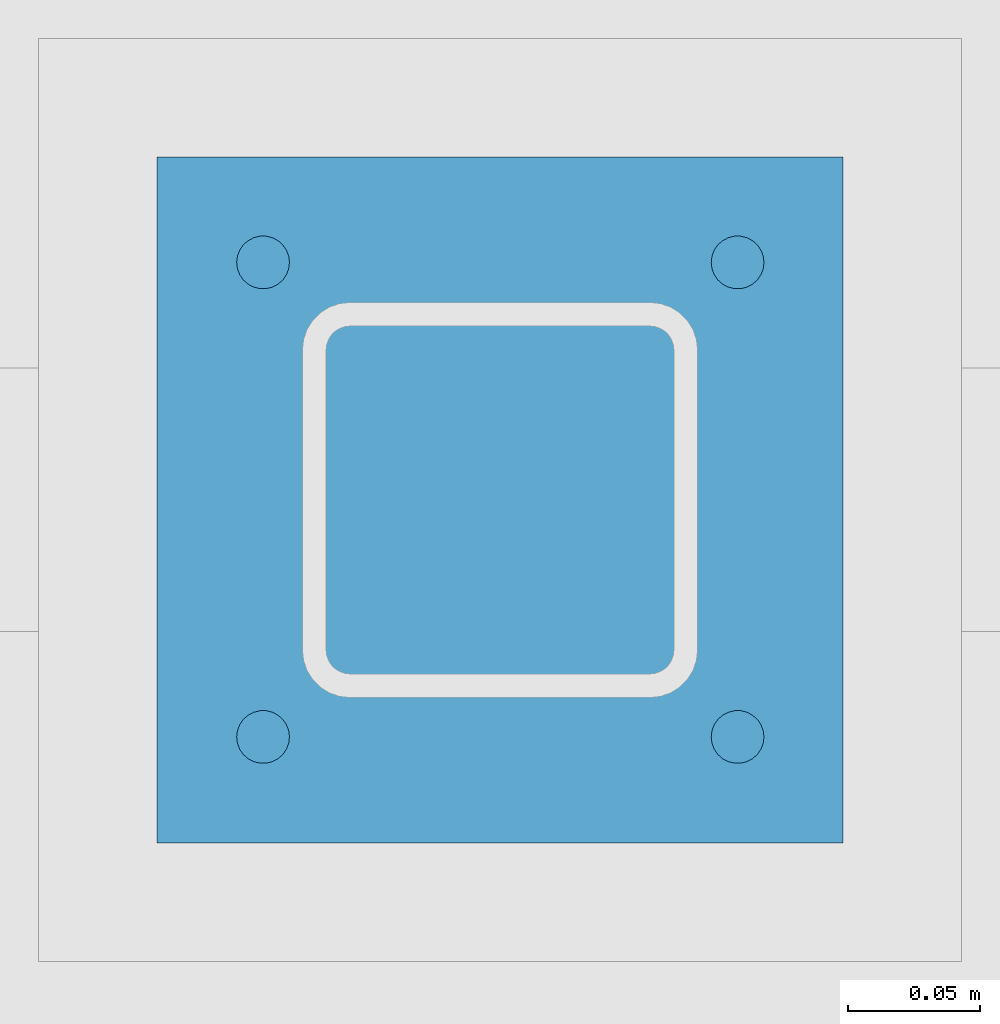
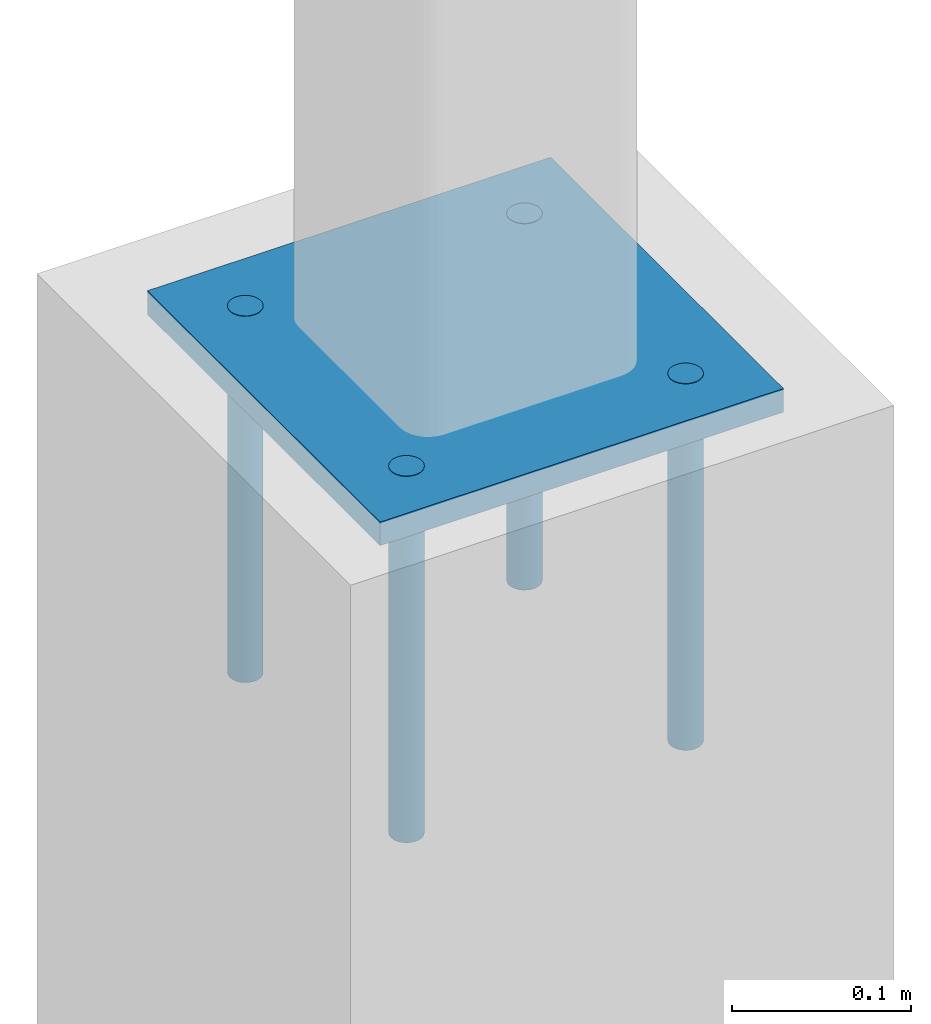
# One storey, part 7 of 10: 4 mechanical fasteners, 1 discrete accessory.
"""IFC4 building model written with IfcOpenShell, lengths in metres."""

from ifc_helpers import new_model, si_unit, direction, frame, origin, origin_2d, place, context, subcontext, project, spatial, rectangle, circle, extrude, material, element, save


model = new_model("IFC4")

# Units and contexts
model_context = context("Model", 3, precision=1e-05, world=origin(), true_north=direction((0.0, 1.0)))
body_context = subcontext(model_context, "Body", "Model", "MODEL_VIEW")
ifc_project = project(units=[si_unit("LENGTHUNIT", "METRE"), si_unit("AREAUNIT", "SQUARE_METRE"), si_unit("VOLUMEUNIT", "CUBIC_METRE"), si_unit("PLANEANGLEUNIT", "RADIAN"), si_unit("MASSUNIT", "GRAM", prefix="KILO")], contexts=[model_context])

# Site, building, storey
site_placement = place(None, origin())
site = spatial("IfcSite", under=ifc_project, at=site_placement, CompositionType="ELEMENT")
building_placement = place(site_placement, origin())
building = spatial("IfcBuilding", under=site, at=building_placement, Name="Silangan Lancet Faculty of Sciences", CompositionType="ELEMENT")
storey_placement = place(building_placement, frame((0.0, 0.0, 81.300048828125)))
storey = spatial("IfcBuildingStorey", under=building, at=storey_placement, Name="ROOF", CompositionType="ELEMENT", Elevation=81.300048828125)

# Discrete accessory
ifc_material_1 = material(Name="Steel SS400", Category="steel")
discrete_accessory_placement = place(storey_placement, frame((-0.050048828125, 14.39990234375, 7.183837890625), z_axis=(0.0, 0.0, 1.0), x_axis=(1.0, 0.0, 0.0)))
element("IfcDiscreteAccessory", 1, at=discrete_accessory_placement, inside=storey, material=ifc_material_1, Name="Pinnacle seat plate RS3 ST-NW", PredefinedType="ANCHORPLATE", context=body_context, shape_type="SweptSolid", body=[
    extrude(rectangle(XDim=0.260009765625, YDim=0.260009765625, at=origin_2d()), origin(), (0.0, 0.0, 1.0), 0.01611328125),
])

# Mechanical fasteners
ifc_material_2 = material(Name="Steel grade 8.8", Category="steel")
for number, where, z_axis, x_axis, name in (
    (2, (-0.139892578125, 14.31005859375, 6.949951171875), (0.0, 0.0, 1.0), (1.0, 0.0, 0.0), "Anchor bolt RS3 ST-NW-1"),
    (3, (-0.139892578125, 14.489990234375, 6.949951171875), (0.0, 0.0, 1.0), (1.0, 0.0, 0.0), "Anchor bolt RS3 ST-NW-2"),
    (4, (0.0400390625, 14.31005859375, 6.949951171875), (0.0, 0.0, 1.0), (1.0, 0.0, 0.0), "Anchor bolt RS3 ST-NW-3"),
    (5, (0.0400390625, 14.489990234375, 6.949951171875), (0.0, 0.0, 1.0), (1.0, 0.0, 0.0), "Anchor bolt RS3 ST-NW-4"),
):
    element("IfcMechanicalFastener", number, at=place(storey_placement, frame(where, z_axis=z_axis, x_axis=x_axis)), inside=storey, material=ifc_material_2, Name=name, NominalDiameter=0.02, NominalLength=0.25, PredefinedType="ANCHORBOLT", context=body_context, shape_type="SweptSolid", body=[
        extrude(circle(Radius=0.010009765625, at=origin_2d()), origin(), (0.0, 0.0, 1.0), 0.25),
    ])

save(model, "model.ifc")
